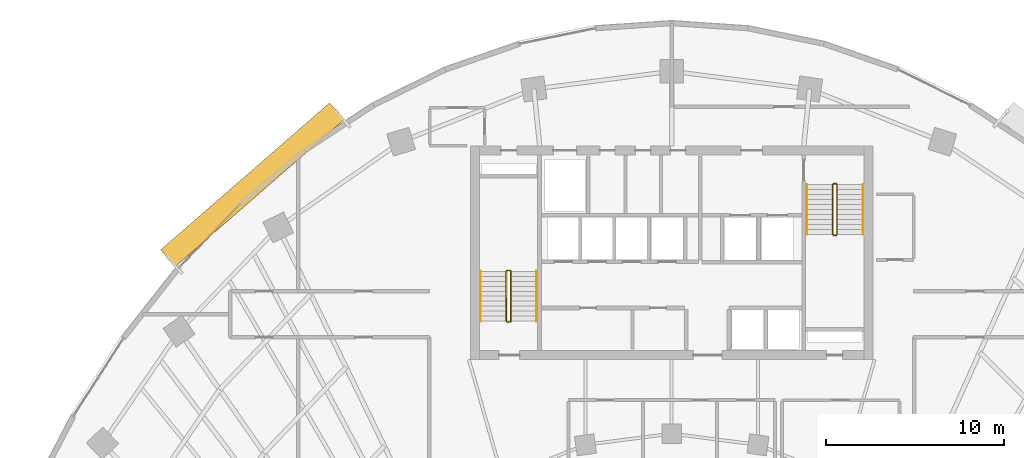
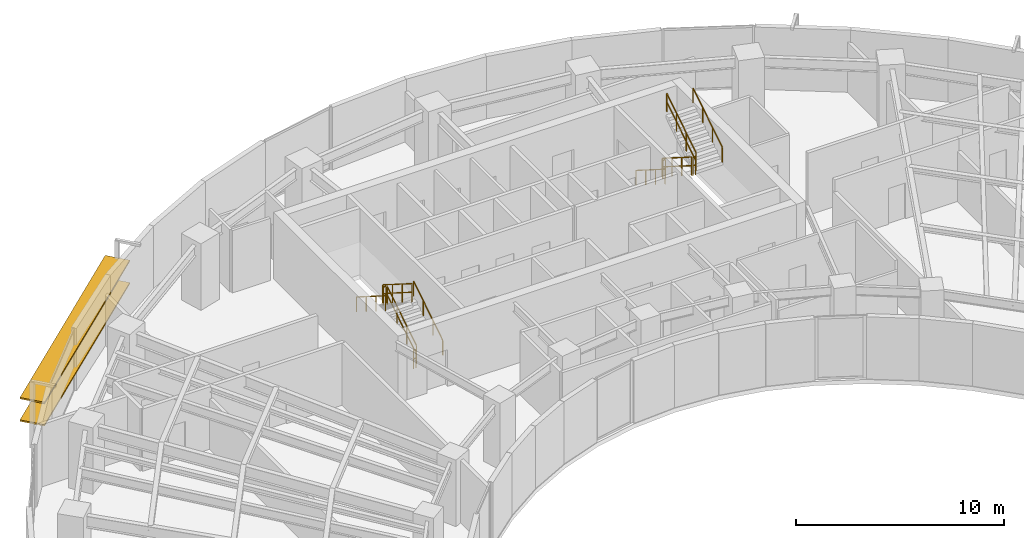
# One storey, part 13 of 14: 12 railings, 2 shading devices.
"""IFC4 building model written with IfcOpenShell, lengths in metres."""

from ifc_helpers import new_model, si_unit, direction, frame, origin, origin_2d, place, context, subcontext, project, spatial, rectangle, extrude, source, transform, mapped, material, material_profile, profile_set, type_object, element, save


model = new_model("IFC4")

# Units and contexts
model_context = context("Model", 3, precision=1e-05, world=origin(), true_north=direction((0.0, 1.0)))
body_context = subcontext(model_context, "Body", "Model", "MODEL_VIEW")
ifc_project = project(units=[si_unit("LENGTHUNIT", "METRE"), si_unit("AREAUNIT", "SQUARE_METRE"), si_unit("VOLUMEUNIT", "CUBIC_METRE"), si_unit("PLANEANGLEUNIT", "RADIAN"), si_unit("MASSUNIT", "GRAM", prefix="KILO")], contexts=[model_context])

# Site, building, storey
site_placement = place(None, origin())
site = spatial("IfcSite", under=ifc_project, at=site_placement, CompositionType="ELEMENT")
building_placement = place(site_placement, origin())
building = spatial("IfcBuilding", under=site, at=building_placement, Name="Breltana Convention Tower", CompositionType="ELEMENT")
storey_placement = place(building_placement, frame((0.0, 0.0, 115.5)))
storey = spatial("IfcBuildingStorey", under=building, at=storey_placement, Name="L27", CompositionType="ELEMENT", Elevation=115.5)

# Railings
ifc_material_1 = material(Name="Steel S275 Painted", Category="steel")
railing_type_1 = type_object("IfcRailingType", Name="RL-STAIR-GUARD-1100", PredefinedType="GUARDRAIL", material=ifc_material_1)
railing_1_placement = place(storey_placement, frame((38.9599609375, 62.360107421875, 0.17724609375)))
element("IfcRailing", 1, at=railing_1_placement, inside=storey, type_object=railing_type_1, Name="L27 ST-1 stair guard 1", PredefinedType="GUARDRAIL", context=body_context, shape_type="SweptSolid", body=[
    extrude(rectangle(XDim=0.048095703125, YDim=0.048095703125, at=origin_2d()), frame((0.0, 0.0, 1.076171875), z_axis=(0.0, 0.844887892834, 0.53494340686), x_axis=(-1.0, 0.0, 0.0)), (0.0, 0.0, 1.0), 3.313720703125),
    extrude(rectangle(XDim=0.048095703125, YDim=0.048095703125, at=origin_2d()), frame((0.0, 0.0, 0.572021484375), z_axis=(0.0, 0.844887892834, 0.53494340686), x_axis=(-1.0, 0.0, 0.0)), (0.0, 0.0, 1.0), 3.313720703125),
    extrude(rectangle(XDim=0.0419921875, YDim=0.0419921875, at=origin_2d()), origin(), (0.0, 0.0, 1.0), 1.052001953125),
    extrude(rectangle(XDim=0.0419921875, YDim=0.0419921875, at=origin_2d()), frame((0.0, 0.933349609375, 0.5908203125)), (0.0, 0.0, 1.0), 1.052001953125),
    extrude(rectangle(XDim=0.0419921875, YDim=0.0419921875, at=origin_2d()), frame((0.0, 1.866455078125, 1.181884765625)), (0.0, 0.0, 1.0), 1.052001953125),
    extrude(rectangle(XDim=0.0419921875, YDim=0.0419921875, at=origin_2d()), frame((0.0, 2.7998046875, 1.772705078125)), (0.0, 0.0, 1.0), 1.052001953125),
])
railing_2_placement = place(storey_placement, frame((38.909912109375, 65.2099609375, 1.949951171875)))
element("IfcRailing", 2, at=railing_2_placement, inside=storey, type_object=railing_type_1, Name="L27 ST-1 stair guard 2", PredefinedType="GUARDRAIL", context=body_context, shape_type="SweptSolid", body=[
    extrude(rectangle(XDim=0.048095703125, YDim=0.048095703125, at=origin_2d()), frame((0.0, 0.0, 1.076171875), z_axis=(-1.0, 0.0, 0.0), x_axis=(0.0, -1.0, 0.0)), (0.0, 0.0, 1.0), 0.14990234375),
    extrude(rectangle(XDim=0.048095703125, YDim=0.048095703125, at=origin_2d()), frame((0.0, 0.0, 0.572021484375), z_axis=(-1.0, 0.0, 0.0), x_axis=(0.0, -1.0, 0.0)), (0.0, 0.0, 1.0), 0.14990234375),
    extrude(rectangle(XDim=0.0419921875, YDim=0.0419921875, at=origin_2d()), origin(), (0.0, 0.0, 1.0), 1.052001953125),
    extrude(rectangle(XDim=0.0419921875, YDim=0.0419921875, at=origin_2d()), frame((-0.14990234375, 0.0, 0.0)), (0.0, 0.0, 1.0), 1.052001953125),
])
railing_3_placement = place(storey_placement, frame((38.7099609375, 65.159912109375, 2.127197265625)))
element("IfcRailing", 3, at=railing_3_placement, inside=storey, type_object=railing_type_1, Name="L27 ST-1 stair guard 3", PredefinedType="GUARDRAIL", context=body_context, shape_type="SweptSolid", body=[
    extrude(rectangle(XDim=0.048095703125, YDim=0.048095703125, at=origin_2d()), frame((0.0, 0.0, 1.076171875), z_axis=(0.0, -0.844887892834, 0.53494340686), x_axis=(1.0, 0.0, 0.0)), (0.0, 0.0, 1.0), 3.313720703125),
    extrude(rectangle(XDim=0.048095703125, YDim=0.048095703125, at=origin_2d()), frame((0.0, 0.0, 0.572021484375), z_axis=(0.0, -0.844887892834, 0.53494340686), x_axis=(1.0, 0.0, 0.0)), (0.0, 0.0, 1.0), 3.313720703125),
    extrude(rectangle(XDim=0.0419921875, YDim=0.0419921875, at=origin_2d()), origin(), (0.0, 0.0, 1.0), 1.052001953125),
    extrude(rectangle(XDim=0.0419921875, YDim=0.0419921875, at=origin_2d()), frame((0.0, -0.933349609375, 0.5908203125)), (0.0, 0.0, 1.0), 1.052001953125),
    extrude(rectangle(XDim=0.0419921875, YDim=0.0419921875, at=origin_2d()), frame((0.0, -1.866455078125, 1.181884765625)), (0.0, 0.0, 1.0), 1.052001953125),
    extrude(rectangle(XDim=0.0419921875, YDim=0.0419921875, at=origin_2d()), frame((0.0, -2.7998046875, 1.772705078125)), (0.0, 0.0, 1.0), 1.052001953125),
])
railing_4_placement = place(storey_placement, frame((38.909912109375, 62.31005859375, 0.0)))
element("IfcRailing", 4, at=railing_4_placement, inside=storey, type_object=railing_type_1, Name="L27 ST-1 stair guard 4", PredefinedType="GUARDRAIL", context=body_context, shape_type="SweptSolid", body=[
    extrude(rectangle(XDim=0.048095703125, YDim=0.048095703125, at=origin_2d()), frame((0.0, 0.0, 1.076171875), z_axis=(-1.0, 0.0, 0.0), x_axis=(0.0, -1.0, 0.0)), (0.0, 0.0, 1.0), 0.14990234375),
    extrude(rectangle(XDim=0.048095703125, YDim=0.048095703125, at=origin_2d()), frame((0.0, 0.0, 0.572021484375), z_axis=(-1.0, 0.0, 0.0), x_axis=(0.0, -1.0, 0.0)), (0.0, 0.0, 1.0), 0.14990234375),
    extrude(rectangle(XDim=0.0419921875, YDim=0.0419921875, at=origin_2d()), origin(), (0.0, 0.0, 1.0), 1.052001953125),
    extrude(rectangle(XDim=0.0419921875, YDim=0.0419921875, at=origin_2d()), frame((-0.14990234375, 0.0, 0.0)), (0.0, 0.0, 1.0), 1.052001953125),
])
railing_5_placement = place(storey_placement, frame((57.0400390625, 70.0400390625, 0.17724609375)))
element("IfcRailing", 5, at=railing_5_placement, inside=storey, type_object=railing_type_1, Name="L27 ST-2 stair guard 1", PredefinedType="GUARDRAIL", context=body_context, shape_type="SweptSolid", body=[
    extrude(rectangle(XDim=0.048095703125, YDim=0.048095703125, at=origin_2d()), frame((0.0, 0.0, 1.076171875), z_axis=(0.0, -0.844908973607, 0.534910110503), x_axis=(1.0, 0.0, 0.0)), (0.0, 0.0, 1.0), 3.31396484375),
    extrude(rectangle(XDim=0.048095703125, YDim=0.048095703125, at=origin_2d()), frame((0.0, 0.0, 0.572021484375), z_axis=(0.0, -0.844908973607, 0.534910110503), x_axis=(1.0, 0.0, 0.0)), (0.0, 0.0, 1.0), 3.31396484375),
    extrude(rectangle(XDim=0.0419921875, YDim=0.0419921875, at=origin_2d()), origin(), (0.0, 0.0, 1.0), 1.052001953125),
    extrude(rectangle(XDim=0.0419921875, YDim=0.0419921875, at=origin_2d()), frame((0.0, -0.933349609375, 0.5908203125)), (0.0, 0.0, 1.0), 1.052001953125),
    extrude(rectangle(XDim=0.0419921875, YDim=0.0419921875, at=origin_2d()), frame((0.0, -1.86669921875, 1.181884765625)), (0.0, 0.0, 1.0), 1.052001953125),
    extrude(rectangle(XDim=0.0419921875, YDim=0.0419921875, at=origin_2d()), frame((0.0, -2.800048828125, 1.772705078125)), (0.0, 0.0, 1.0), 1.052001953125),
])
railing_6_placement = place(storey_placement, frame((57.090087890625, 67.18994140625, 1.949951171875)))
element("IfcRailing", 6, at=railing_6_placement, inside=storey, type_object=railing_type_1, Name="L27 ST-2 stair guard 2", PredefinedType="GUARDRAIL", context=body_context, shape_type="SweptSolid", body=[
    extrude(rectangle(XDim=0.048095703125, YDim=0.048095703125, at=origin_2d()), frame((0.0, 0.0, 1.076171875), z_axis=(1.0, 0.0, 0.0), x_axis=(0.0, 1.0, 0.0)), (0.0, 0.0, 1.0), 0.14990234375),
    extrude(rectangle(XDim=0.048095703125, YDim=0.048095703125, at=origin_2d()), frame((0.0, 0.0, 0.572021484375), z_axis=(1.0, 0.0, 0.0), x_axis=(0.0, 1.0, 0.0)), (0.0, 0.0, 1.0), 0.14990234375),
    extrude(rectangle(XDim=0.0419921875, YDim=0.0419921875, at=origin_2d()), origin(), (0.0, 0.0, 1.0), 1.052001953125),
    extrude(rectangle(XDim=0.0419921875, YDim=0.0419921875, at=origin_2d()), frame((0.14990234375, 0.0, 0.0)), (0.0, 0.0, 1.0), 1.052001953125),
])
railing_7_placement = place(storey_placement, frame((57.2900390625, 67.239990234375, 2.127197265625)))
element("IfcRailing", 7, at=railing_7_placement, inside=storey, type_object=railing_type_1, Name="L27 ST-2 stair guard 3", PredefinedType="GUARDRAIL", context=body_context, shape_type="SweptSolid", body=[
    extrude(rectangle(XDim=0.048095703125, YDim=0.048095703125, at=origin_2d()), frame((0.0, 0.0, 1.076171875), z_axis=(0.0, 0.844908973607, 0.534910110503), x_axis=(-1.0, 0.0, 0.0)), (0.0, 0.0, 1.0), 3.31396484375),
    extrude(rectangle(XDim=0.048095703125, YDim=0.048095703125, at=origin_2d()), frame((0.0, 0.0, 0.572021484375), z_axis=(0.0, 0.844908973607, 0.534910110503), x_axis=(-1.0, 0.0, 0.0)), (0.0, 0.0, 1.0), 3.31396484375),
    extrude(rectangle(XDim=0.0419921875, YDim=0.0419921875, at=origin_2d()), origin(), (0.0, 0.0, 1.0), 1.052001953125),
    extrude(rectangle(XDim=0.0419921875, YDim=0.0419921875, at=origin_2d()), frame((0.0, 0.933349609375, 0.5908203125)), (0.0, 0.0, 1.0), 1.052001953125),
    extrude(rectangle(XDim=0.0419921875, YDim=0.0419921875, at=origin_2d()), frame((0.0, 1.86669921875, 1.181884765625)), (0.0, 0.0, 1.0), 1.052001953125),
    extrude(rectangle(XDim=0.0419921875, YDim=0.0419921875, at=origin_2d()), frame((0.0, 2.800048828125, 1.772705078125)), (0.0, 0.0, 1.0), 1.052001953125),
])
railing_8_placement = place(storey_placement, frame((57.090087890625, 70.090087890625, 0.0)))
element("IfcRailing", 8, at=railing_8_placement, inside=storey, type_object=railing_type_1, Name="L27 ST-2 stair guard 4", PredefinedType="GUARDRAIL", context=body_context, shape_type="SweptSolid", body=[
    extrude(rectangle(XDim=0.048095703125, YDim=0.048095703125, at=origin_2d()), frame((0.0, 0.0, 1.076171875), z_axis=(1.0, 0.0, 0.0), x_axis=(0.0, 1.0, 0.0)), (0.0, 0.0, 1.0), 0.14990234375),
    extrude(rectangle(XDim=0.048095703125, YDim=0.048095703125, at=origin_2d()), frame((0.0, 0.0, 0.572021484375), z_axis=(1.0, 0.0, 0.0), x_axis=(0.0, 1.0, 0.0)), (0.0, 0.0, 1.0), 0.14990234375),
    extrude(rectangle(XDim=0.0419921875, YDim=0.0419921875, at=origin_2d()), origin(), (0.0, 0.0, 1.0), 1.052001953125),
    extrude(rectangle(XDim=0.0419921875, YDim=0.0419921875, at=origin_2d()), frame((0.14990234375, 0.0, 0.0)), (0.0, 0.0, 1.0), 1.052001953125),
])
ifc_material_2 = material(Name="Stainless Steel 316L", Category="steel")
railing_type_2 = type_object("IfcRailingType", Name="RL-STAIR-HANDRAIL-900", PredefinedType="HANDRAIL", material=ifc_material_2)
railing_9_placement = place(storey_placement, frame((40.419921875, 62.360107421875, 0.17724609375)))
element("IfcRailing", 9, at=railing_9_placement, inside=storey, type_object=railing_type_2, Name="L27 ST-1 stair handrail 1", PredefinedType="HANDRAIL", context=body_context, shape_type="SweptSolid", body=[
    extrude(rectangle(XDim=0.048095703125, YDim=0.048095703125, at=origin_2d()), frame((0.0, 0.0, 0.8759765625), z_axis=(0.0, 0.844887892834, 0.53494340686), x_axis=(-1.0, 0.0, 0.0)), (0.0, 0.0, 1.0), 3.313720703125),
    extrude(rectangle(XDim=0.0419921875, YDim=0.0419921875, at=origin_2d()), origin(), (0.0, 0.0, 1.0), 0.851806640625),
    extrude(rectangle(XDim=0.0419921875, YDim=0.0419921875, at=origin_2d()), frame((0.0, 0.933349609375, 0.5908203125)), (0.0, 0.0, 1.0), 0.851806640625),
    extrude(rectangle(XDim=0.0419921875, YDim=0.0419921875, at=origin_2d()), frame((0.0, 1.866455078125, 1.181884765625)), (0.0, 0.0, 1.0), 0.851806640625),
    extrude(rectangle(XDim=0.0419921875, YDim=0.0419921875, at=origin_2d()), frame((0.0, 2.7998046875, 1.772705078125)), (0.0, 0.0, 1.0), 0.851806640625),
])
railing_10_placement = place(storey_placement, frame((37.25, 65.159912109375, 2.127197265625)))
element("IfcRailing", 10, at=railing_10_placement, inside=storey, type_object=railing_type_2, Name="L27 ST-1 stair handrail 2", PredefinedType="HANDRAIL", context=body_context, shape_type="SweptSolid", body=[
    extrude(rectangle(XDim=0.048095703125, YDim=0.048095703125, at=origin_2d()), frame((0.0, 0.0, 0.8759765625), z_axis=(0.0, -0.844887892834, 0.53494340686), x_axis=(1.0, 0.0, 0.0)), (0.0, 0.0, 1.0), 3.313720703125),
    extrude(rectangle(XDim=0.0419921875, YDim=0.0419921875, at=origin_2d()), origin(), (0.0, 0.0, 1.0), 0.851806640625),
    extrude(rectangle(XDim=0.0419921875, YDim=0.0419921875, at=origin_2d()), frame((0.0, -0.933349609375, 0.5908203125)), (0.0, 0.0, 1.0), 0.851806640625),
    extrude(rectangle(XDim=0.0419921875, YDim=0.0419921875, at=origin_2d()), frame((0.0, -1.866455078125, 1.181884765625)), (0.0, 0.0, 1.0), 0.851806640625),
    extrude(rectangle(XDim=0.0419921875, YDim=0.0419921875, at=origin_2d()), frame((0.0, -2.7998046875, 1.772705078125)), (0.0, 0.0, 1.0), 0.851806640625),
])
railing_11_placement = place(storey_placement, frame((55.580078125, 70.0400390625, 0.17724609375)))
element("IfcRailing", 11, at=railing_11_placement, inside=storey, type_object=railing_type_2, Name="L27 ST-2 stair handrail 1", PredefinedType="HANDRAIL", context=body_context, shape_type="SweptSolid", body=[
    extrude(rectangle(XDim=0.048095703125, YDim=0.048095703125, at=origin_2d()), frame((0.0, 0.0, 0.8759765625), z_axis=(0.0, -0.844908973607, 0.534910110503), x_axis=(1.0, 0.0, 0.0)), (0.0, 0.0, 1.0), 3.31396484375),
    extrude(rectangle(XDim=0.0419921875, YDim=0.0419921875, at=origin_2d()), origin(), (0.0, 0.0, 1.0), 0.851806640625),
    extrude(rectangle(XDim=0.0419921875, YDim=0.0419921875, at=origin_2d()), frame((0.0, -0.933349609375, 0.5908203125)), (0.0, 0.0, 1.0), 0.851806640625),
    extrude(rectangle(XDim=0.0419921875, YDim=0.0419921875, at=origin_2d()), frame((0.0, -1.86669921875, 1.181884765625)), (0.0, 0.0, 1.0), 0.851806640625),
    extrude(rectangle(XDim=0.0419921875, YDim=0.0419921875, at=origin_2d()), frame((0.0, -2.800048828125, 1.772705078125)), (0.0, 0.0, 1.0), 0.851806640625),
])
railing_12_placement = place(storey_placement, frame((58.75, 67.239990234375, 2.127197265625)))
element("IfcRailing", 12, at=railing_12_placement, inside=storey, type_object=railing_type_2, Name="L27 ST-2 stair handrail 2", PredefinedType="HANDRAIL", context=body_context, shape_type="SweptSolid", body=[
    extrude(rectangle(XDim=0.048095703125, YDim=0.048095703125, at=origin_2d()), frame((0.0, 0.0, 0.8759765625), z_axis=(0.0, 0.844908973607, 0.534910110503), x_axis=(-1.0, 0.0, 0.0)), (0.0, 0.0, 1.0), 3.31396484375),
    extrude(rectangle(XDim=0.0419921875, YDim=0.0419921875, at=origin_2d()), origin(), (0.0, 0.0, 1.0), 0.851806640625),
    extrude(rectangle(XDim=0.0419921875, YDim=0.0419921875, at=origin_2d()), frame((0.0, 0.933349609375, 0.5908203125)), (0.0, 0.0, 1.0), 0.851806640625),
    extrude(rectangle(XDim=0.0419921875, YDim=0.0419921875, at=origin_2d()), frame((0.0, 1.86669921875, 1.181884765625)), (0.0, 0.0, 1.0), 0.851806640625),
    extrude(rectangle(XDim=0.0419921875, YDim=0.0419921875, at=origin_2d()), frame((0.0, 2.800048828125, 1.772705078125)), (0.0, 0.0, 1.0), 0.851806640625),
])

# Shading devices
ifc_material_3 = material(Name="Limestone Warm Buff Honed", Category="masonry")
ifc_material_profile = material_profile(ifc_material_3, rectangle(XDim=1.25, YDim=0.090087890625, at=origin_2d()), Name="STN-LVR-1250X90")
ifc_profile_set = profile_set([ifc_material_profile], Name="Limestone Warm Buff Honed")
shading_device_type = type_object("IfcShadingDeviceType", Name="SHD-OUTER-SKIN-LIMESTONE-1250", PredefinedType="JALOUSIE", material=ifc_profile_set)
shared_shape = source(origin(), body_context, "Body", "SweptSolid", [
    extrude(rectangle(XDim=1.25, YDim=0.090087890625, at=origin_2d()), origin(), (0.0, 0.0, 1.0), 12.59423828125),
])
for number, where, z_axis, x_axis, name in (
    (13, (19.6826171875, 65.894775390625, 1.31396484375), (0.754366759368, 0.656453191295, 0.0), (-0.656453191295, 0.754366759368, 0.0), "L27 outer skin warm limestone louvre 1.1"),
    (14, (19.6826171875, 65.894775390625, 2.6279296875), (0.754366759368, 0.656453191295, 0.0), (-0.656453191295, 0.754366759368, 0.0), "L27 outer skin warm limestone louvre 1.2"),
):
    element("IfcShadingDevice", number, at=place(storey_placement, frame(where, z_axis=z_axis, x_axis=x_axis)), inside=storey, type_object=shading_device_type, Name=name, PredefinedType="JALOUSIE", context=body_context, shape_type="MappedRepresentation", body=[
        mapped(shared_shape, transform((0.0, 0.0, 0.0), scale=1.0)),
    ])

save(model, "model.ifc")
